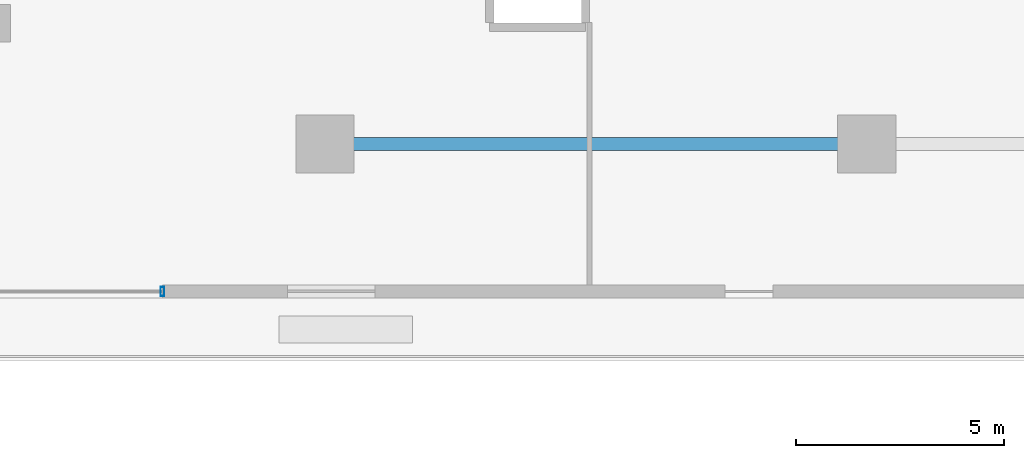
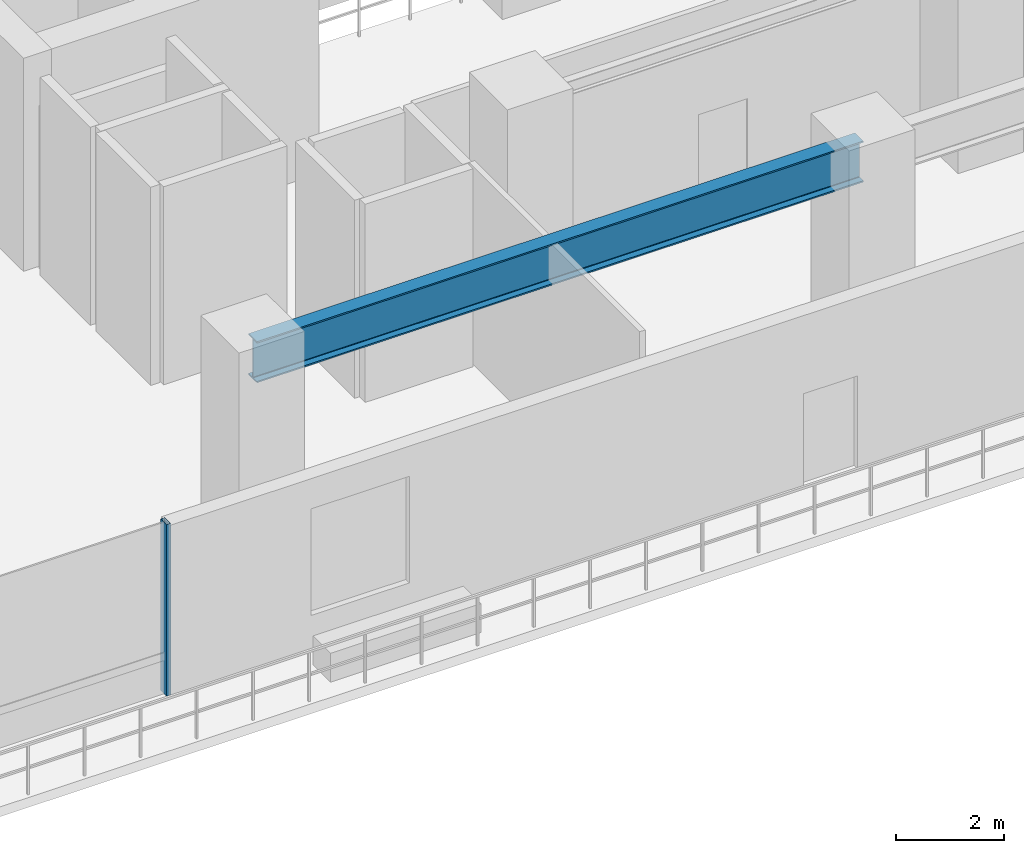
# One storey, part 7 of 22: 1 beam, 1 member, 1 element without a shape of its own.
"""IFC4 building model written with IfcOpenShell, lengths in metres."""

from ifc_helpers import new_model, si_unit, direction, frame, origin, origin_2d, place, context, subcontext, project, spatial, hollow_rectangle, i_section, extrude, material, material_profile, profile_set, type_object, element, aggregate, save


model = new_model("IFC4")

# Units and contexts
model_context = context("Model", 3, precision=1e-05, world=origin(), true_north=direction((0.0, 1.0)))
body_context = subcontext(model_context, "Body", "Model", "MODEL_VIEW")
ifc_project = project(units=[si_unit("LENGTHUNIT", "METRE"), si_unit("AREAUNIT", "SQUARE_METRE"), si_unit("VOLUMEUNIT", "CUBIC_METRE"), si_unit("PLANEANGLEUNIT", "RADIAN"), si_unit("MASSUNIT", "GRAM", prefix="KILO")], contexts=[model_context])

# Site, building, storey
site_placement = place(None, origin())
site = spatial("IfcSite", under=ifc_project, at=site_placement, CompositionType="ELEMENT")
building_placement = place(site_placement, origin())
building = spatial("IfcBuilding", under=site, at=building_placement, Name="Thornwick Lancets Civic Towers", CompositionType="ELEMENT")
storey_placement = place(building_placement, frame((0.0, 0.0, 4.800048828125)))
storey = spatial("IfcBuildingStorey", under=building, at=storey_placement, Name="L01", CompositionType="ELEMENT", Elevation=4.800048828125)

# Beam
ifc_material_1 = material(Name="Steel S355JR", Category="steel")
ifc_material_profile_1 = material_profile(ifc_material_1, i_section(OverallWidth=0.3076171875, OverallDepth=0.926513671875, WebThickness=0.01953125, FlangeThickness=0.031982421875, FilletRadius=0.01904296875, at=origin_2d()), Name="UKB 914x305x289")
ifc_profile_set_1 = profile_set([ifc_material_profile_1], Name="Steel S355JR")
beam_type = type_object("IfcBeamType", Name="BM_POD_914_289", PredefinedType="BEAM", material=ifc_profile_set_1)
beam_placement = place(storey_placement, frame((88.419921875, 9.699951171875, 4.0166015625), z_axis=(-1.0, 0.0, 0.0), x_axis=(0.0, -1.0, 0.0)))
element("IfcBeam", 1, at=beam_placement, inside=storey, type_object=beam_type, Name="BM-SPINE-L01-B-10-11", PredefinedType="BEAM", context=body_context, shape_type="SweptSolid", body=[
    extrude(i_section(OverallWidth=0.3076171875, OverallDepth=0.926513671875, WebThickness=0.01953125, FlangeThickness=0.031982421875, FilletRadius=0.01904296875, at=origin_2d()), origin(), (0.0, 0.0, 1.0), 12.919921875),
])

# Curtain wall, member
ifc_material_2 = material(Name="Bronze aluminium Gothic lancet podium curtain wall", Category="aluminium")
curtain_wall_type = type_object("IfcCurtainWallType", Name="CW_SYS_01", PredefinedType="NOTDEFINED", material=ifc_material_2)
curtain_wall_placement = place(storey_placement, origin())
curtain_wall = element("IfcCurtainWall", 2, at=curtain_wall_placement, inside=storey, type_object=curtain_wall_type, Name="L01 Curtain Wall CW-L01-POD-SC", PredefinedType="NOTDEFINED")
ifc_material_3 = material(Name="Thermally broken bronze aluminium S355", Category="steel")
ifc_material_profile_2 = material_profile(ifc_material_3, hollow_rectangle(XDim=0.090087890625, YDim=0.219970703125, WallThickness=0.00634765625, at=origin_2d()), Name="RHS 220x90x6.3")
ifc_profile_set_2 = profile_set([ifc_material_profile_2], Name="Thermally broken bronze aluminium S355")
member_type = type_object("IfcMemberType", Name="CW_MUL_220", PredefinedType="MULLION", material=ifc_profile_set_2)
member_placement = place(storey_placement, frame((71.60009765625, 6.159912109375, 0.0), z_axis=(0.0, 0.0, 1.0), x_axis=(1.0, 0.0, 0.0)))
member = element("IfcMember", 3, at=member_placement, type_object=member_type, Name="CW-L01-POD-SC Mullion 2", PredefinedType="MULLION", context=body_context, shape_type="SweptSolid", body=[
    extrude(hollow_rectangle(XDim=0.090087890625, YDim=0.219970703125, WallThickness=0.00634765625, at=origin_2d()), origin(), (0.0, 0.0, 1.0), 3.85986328125),
])
aggregate(curtain_wall, [member])

save(model, "model.ifc")
